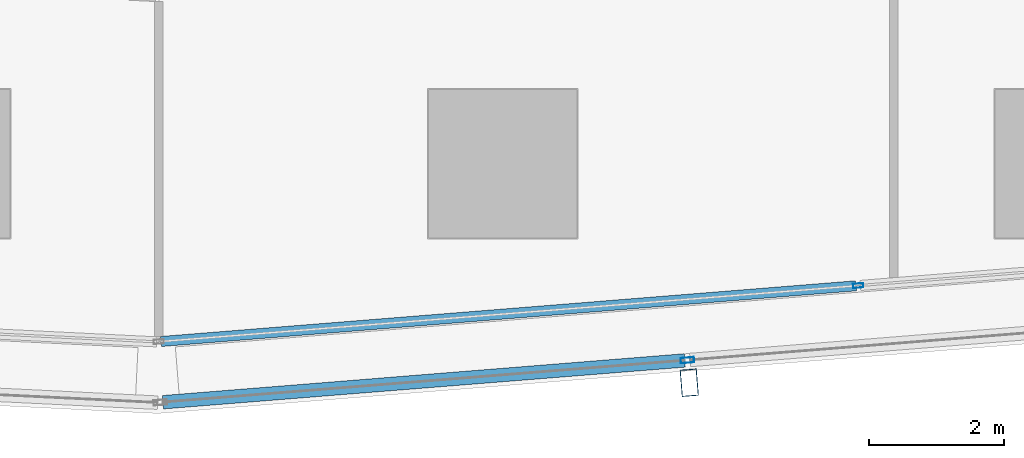
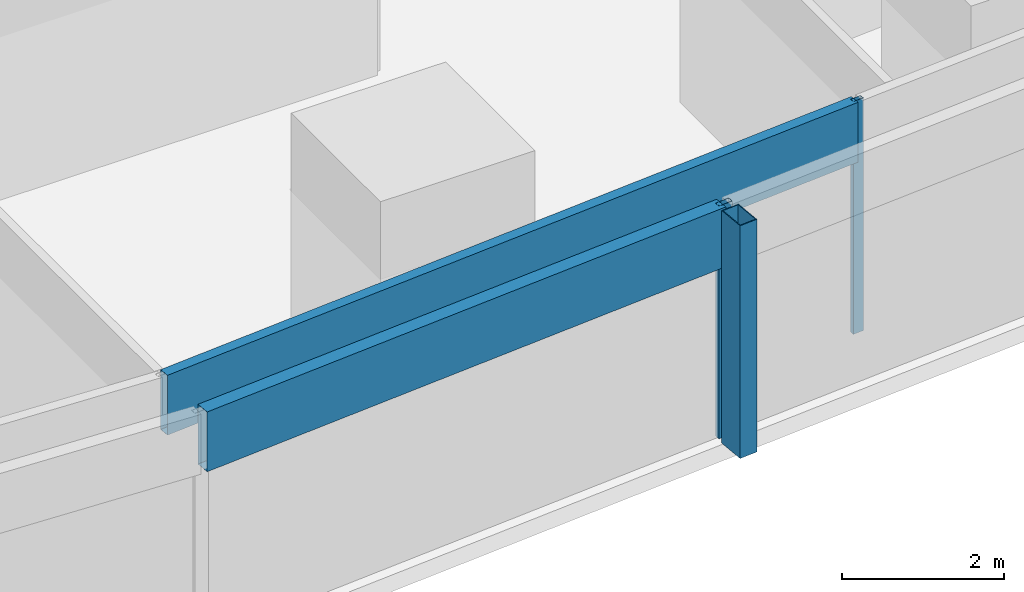
# One storey, part 10 of 44: 5 members, 2 elements without a shape of their own.
"""IFC4 building model written with IfcOpenShell, lengths in metres."""

from ifc_helpers import new_model, si_unit, direction, frame, origin, origin_2d, place, context, subcontext, project, spatial, hollow_rectangle, extrude, material, material_profile, profile_set, type_object, element, aggregate, save


model = new_model("IFC4")

# Units and contexts
model_context = context("Model", 3, precision=1e-05, world=origin(), true_north=direction((0.0, 1.0)))
body_context = subcontext(model_context, "Body", "Model", "MODEL_VIEW")
ifc_project = project(units=[si_unit("LENGTHUNIT", "METRE"), si_unit("AREAUNIT", "SQUARE_METRE"), si_unit("VOLUMEUNIT", "CUBIC_METRE"), si_unit("PLANEANGLEUNIT", "RADIAN"), si_unit("MASSUNIT", "GRAM", prefix="KILO")], contexts=[model_context])

# Site, building, storey
site_placement = place(None, origin())
site = spatial("IfcSite", under=ifc_project, at=site_placement, CompositionType="ELEMENT")
building_placement = place(site_placement, origin())
building = spatial("IfcBuilding", under=site, at=building_placement, Name="Rekha Terrace Tower", CompositionType="ELEMENT")
storey_placement = place(building_placement, frame((0.0, 0.0, 62.89990234375)))
storey = spatial("IfcBuildingStorey", under=building, at=storey_placement, Name="L15", CompositionType="ELEMENT", Elevation=62.89990234375)

# Curtain wall, member
ifc_material_1 = material(Name="Aluminium framing", Category="aluminium")
curtain_wall_type_1 = type_object("IfcCurtainWallType", Name="CW2 double skin outer glazing", PredefinedType="USERDEFINED", material=ifc_material_1)
curtain_wall_1_placement = place(storey_placement, origin())
curtain_wall_1 = element("IfcCurtainWall", 1, at=curtain_wall_1_placement, inside=storey, type_object=curtain_wall_type_1, Name="CW2 double skin outer glazing", ObjectType="DOUBLE SKIN OUTER GLAZING", PredefinedType="USERDEFINED")
ifc_material_2 = material(Name="Steel S355 with fluorocarbon finish", Category="steel")
ifc_material_profile_1 = material_profile(ifc_material_2, hollow_rectangle(XDim=0.25, YDim=0.39990234375, WallThickness=0.012451171875, at=origin_2d()), Name="RHS400x250x12.5")
ifc_profile_set_1 = profile_set([ifc_material_profile_1], Name="Steel S355 with fluorocarbon finish")
member_type_1 = type_object("IfcMemberType", Name="BL1 facade blade RHS 400 x 250", PredefinedType="USERDEFINED", material=ifc_profile_set_1)
member_1_placement = place(storey_placement, frame((53.16748046875, 5.15576171875, 0.0), z_axis=(0.0, 0.0, 1.0), x_axis=(0.996805139821, 0.079871855039, 0.0)))
member_1 = element("IfcMember", 2, at=member_1_placement, type_object=member_type_1, Name="Facade blade", ObjectType="FACADE BLADE", PredefinedType="USERDEFINED", context=body_context, shape_type="SweptSolid", body=[
    extrude(hollow_rectangle(XDim=0.25, YDim=0.39990234375, WallThickness=0.012451171875, at=origin_2d()), origin(), (0.0, 0.0, 1.0), 3.5),
])

# Curtain wall, members
curtain_wall_type_2 = type_object("IfcCurtainWallType", Name="CW1 double skin inner glazing", PredefinedType="USERDEFINED", material=ifc_material_1)
curtain_wall_2_placement = place(storey_placement, origin())
curtain_wall_2 = element("IfcCurtainWall", 3, at=curtain_wall_2_placement, inside=storey, type_object=curtain_wall_type_2, Name="CW1 double skin inner glazing", ObjectType="DOUBLE SKIN INNER GLAZING", PredefinedType="USERDEFINED")
ifc_material_3 = material(Name="Aluminium mullion section", Category="aluminium")
ifc_material_profile_2 = material_profile(ifc_material_3, hollow_rectangle(XDim=0.06494140625, YDim=0.14990234375, WallThickness=0.00390625, at=origin_2d()), Name="AL RHS 65x150")
ifc_profile_set_2 = profile_set([ifc_material_profile_2], Name="Aluminium mullion section")
member_type_2 = type_object("IfcMemberType", Name="CW1 mullion RHS 65 x 150", PredefinedType="MULLION", material=ifc_profile_set_2)
member_2_placement = place(storey_placement, frame((55.672119140625, 6.595458984375, 0.0), z_axis=(0.0, 0.0, 1.0), x_axis=(-0.079872204468, 0.996805111821, 0.0)))
member_2 = element("IfcMember", 4, at=member_2_placement, type_object=member_type_2, Name="CW1 mullion 2", PredefinedType="MULLION", context=body_context, shape_type="SweptSolid", body=[
    extrude(hollow_rectangle(XDim=0.06494140625, YDim=0.14990234375, WallThickness=0.00390625, at=origin_2d()), origin(), (0.0, 0.0, 1.0), 3.5),
])
ifc_material_4 = material(Name="Insulated aluminium spandrel box", Category="aluminium")
ifc_material_profile_3 = material_profile(ifc_material_4, hollow_rectangle(XDim=0.14990234375, YDim=0.89990234375, WallThickness=0.0029296875, at=origin_2d()), Name="AL SPANDREL BOX 150x900")
ifc_profile_set_3 = profile_set([ifc_material_profile_3], Name="Insulated aluminium spandrel box")
member_type_3 = type_object("IfcMemberType", Name="CW1 spandrel transom 150 x 900", PredefinedType="USERDEFINED", material=ifc_profile_set_3)
member_3_placement = place(storey_placement, frame((45.33642578125, 5.767333984375, 3.050048828125), z_axis=(0.996806184606, 0.079858814989, 0.0), x_axis=(-0.079858814989, 0.996806184606, 0.0)))
member_3 = element("IfcMember", 5, at=member_3_placement, type_object=member_type_3, Name="CW1 spandrel transom 1", ObjectType="TRANSOM", PredefinedType="USERDEFINED", context=body_context, shape_type="SweptSolid", body=[
    extrude(hollow_rectangle(XDim=0.14990234375, YDim=0.89990234375, WallThickness=0.0029296875, at=origin_2d()), origin(), (0.0, 0.0, 1.0), 10.336181640625),
])
aggregate(curtain_wall_2, [member_2, member_3])

# Member
ifc_material_profile_4 = material_profile(ifc_material_3, hollow_rectangle(XDim=0.080078125, YDim=0.199951171875, WallThickness=0.00390625, at=origin_2d()), Name="AL RHS 80x200")
ifc_profile_set_4 = profile_set([ifc_material_profile_4], Name="Aluminium mullion section")
member_type_4 = type_object("IfcMemberType", Name="CW2 mullion RHS 80 x 200", PredefinedType="MULLION", material=ifc_profile_set_4)
member_4_placement = place(storey_placement, frame((53.140869140625, 5.48974609375, 0.0), z_axis=(0.0, 0.0, 1.0), x_axis=(-0.079872204468, 0.996805111821, 0.0)))
member_4 = element("IfcMember", 6, at=member_4_placement, type_object=member_type_4, Name="CW2 mullion 2", PredefinedType="MULLION", context=body_context, shape_type="SweptSolid", body=[
    extrude(hollow_rectangle(XDim=0.080078125, YDim=0.199951171875, WallThickness=0.00390625, at=origin_2d()), origin(), (0.0, 0.0, 1.0), 3.5),
])

ifc_material_profile_5 = material_profile(ifc_material_4, hollow_rectangle(XDim=0.199951171875, YDim=0.89990234375, WallThickness=0.0029296875, at=origin_2d()), Name="AL SPANDREL BOX 200x900")
ifc_profile_set_5 = profile_set([ifc_material_profile_5], Name="Insulated aluminium spandrel box")
member_type_5 = type_object("IfcMemberType", Name="CW2 spandrel transom 200 x 900", PredefinedType="USERDEFINED", material=ifc_profile_set_5)
member_5_placement = place(storey_placement, frame((45.365234375, 4.86669921875, 3.050048828125), z_axis=(0.996804766607, 0.079876512622, 0.0), x_axis=(-0.079876512622, 0.996804766607, 0.0)))
member_5 = element("IfcMember", 7, at=member_5_placement, type_object=member_type_5, Name="CW2 spandrel transom 1", ObjectType="TRANSOM", PredefinedType="USERDEFINED", context=body_context, shape_type="SweptSolid", body=[
    extrude(hollow_rectangle(XDim=0.199951171875, YDim=0.89990234375, WallThickness=0.0029296875, at=origin_2d()), origin(), (0.0, 0.0, 1.0), 7.760498046875),
])

aggregate(curtain_wall_1, [member_4, member_5, member_1])

save(model, "model.ifc")
